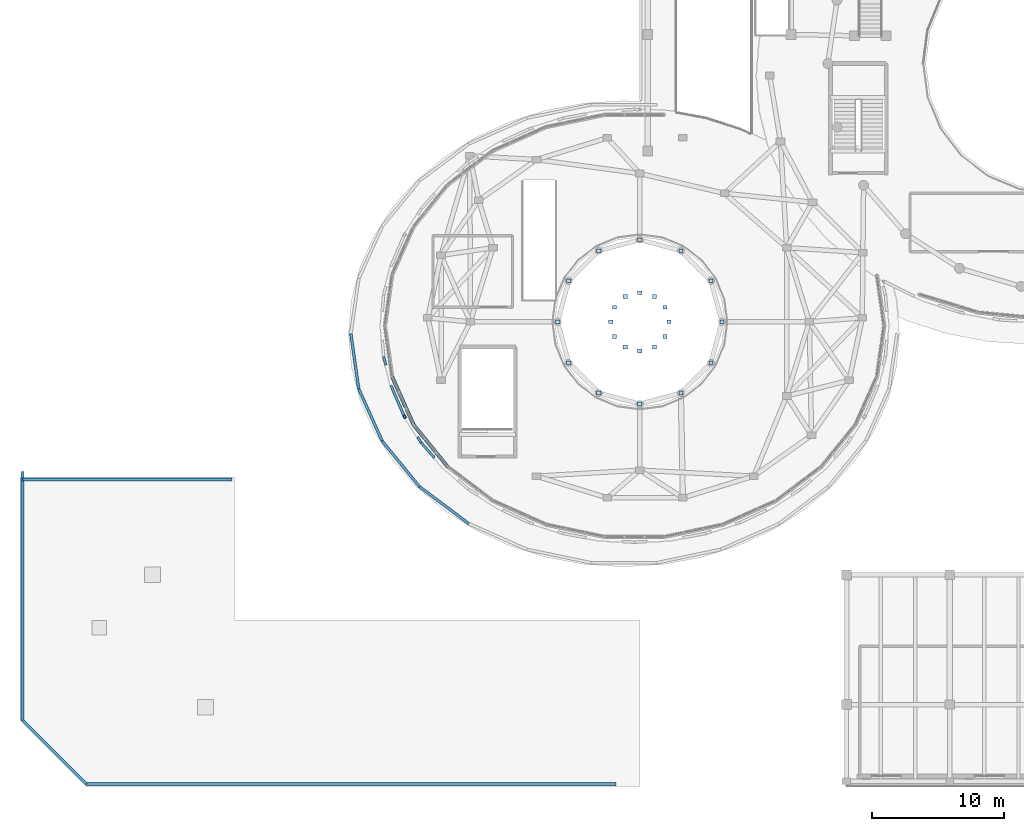
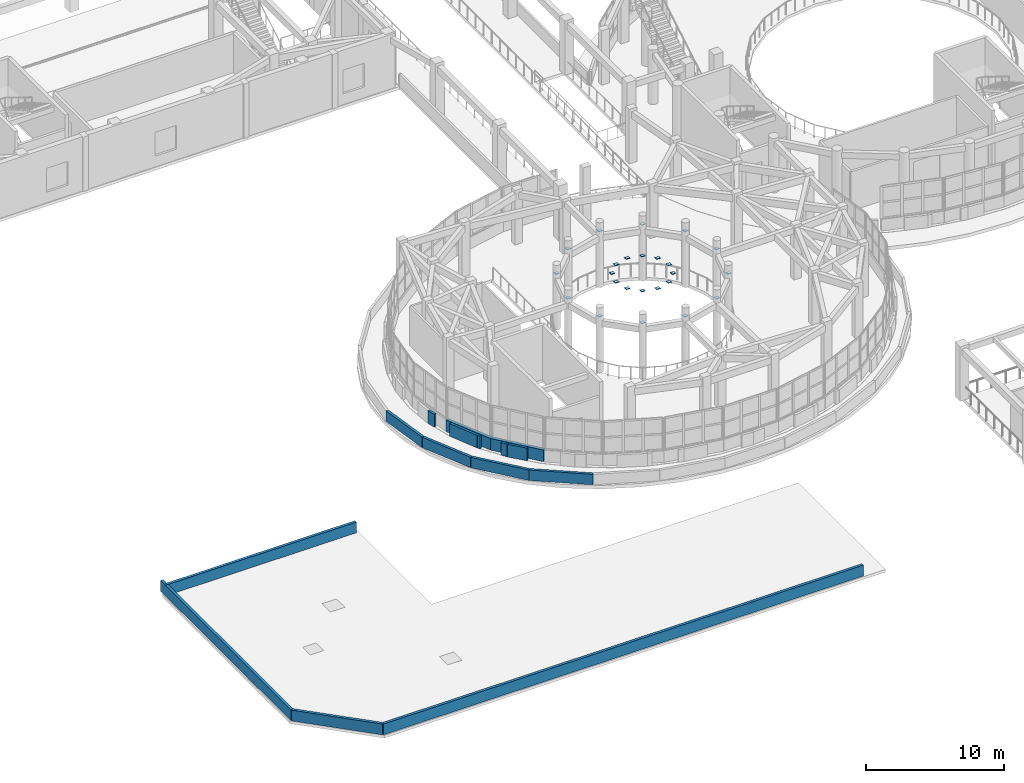
# One storey, part 69 of 98: 24 plates, 15 walls.
"""IFC4 building model written with IfcOpenShell, lengths in metres."""

from ifc_helpers import new_model, si_unit, direction, frame, frame_2d, origin, origin_2d, place, context, subcontext, project, spatial, rectangle, extrude, material, layer, layer_set, type_object, element, save


model = new_model("IFC4")

# Units and contexts
model_context = context("Model", 3, precision=1e-05, world=origin(), true_north=direction((0.0, 1.0)))
body_context = subcontext(model_context, "Body", "Model", "MODEL_VIEW")
ifc_project = project(units=[si_unit("LENGTHUNIT", "METRE"), si_unit("AREAUNIT", "SQUARE_METRE"), si_unit("VOLUMEUNIT", "CUBIC_METRE"), si_unit("PLANEANGLEUNIT", "RADIAN"), si_unit("MASSUNIT", "GRAM", prefix="KILO")], contexts=[model_context])

# Site, building, storey
site_placement = place(None, origin())
site = spatial("IfcSite", under=ifc_project, at=site_placement, CompositionType="ELEMENT")
building_placement = place(site_placement, origin())
building = spatial("IfcBuilding", under=site, at=building_placement, Name="Pelvatis Terrace Science Centre", CompositionType="ELEMENT")
storey_placement = place(building_placement, frame((0.0, 0.0, 5.39990234375)))
storey = spatial("IfcBuildingStorey", under=building, at=storey_placement, Name="L01", CompositionType="ELEMENT", Elevation=5.39990234375)

# Plates
ifc_material_1 = material(Name="Structural steel S355", Category="steel")
ifc_layer_1 = layer(ifc_material_1, 0.01611328125)
ifc_layer_set_1 = layer_set([ifc_layer_1], Name="Structural steel S355")
plate_type = type_object("IfcPlateType", Name="PLT-GUS-320x280x16", PredefinedType="USERDEFINED", material=ifc_layer_set_1)
for number, where, z_axis, x_axis, name in (
    (1, (53.0, 35.10009765625, 4.842041015625), (0.0, 0.0, 1.0), (1.0, 0.0, 0.0), "Brace and strut end connection gusset plate 182"),
    (2, (52.16943359375, 38.199951171875, 4.842041015625), (0.0, 0.0, 1.0), (1.0, 0.0, 0.0), "Brace and strut end connection gusset plate 185"),
    (3, (49.89990234375, 40.469482421875, 4.842041015625), (0.0, 0.0, 1.0), (1.0, 0.0, 0.0), "Brace and strut end connection gusset plate 188"),
    (4, (46.800048828125, 41.300048828125, 4.842041015625), (0.0, 0.0, 1.0), (1.0, 0.0, 0.0), "Brace and strut end connection gusset plate 191"),
    (5, (43.699951171875, 40.469482421875, 4.842041015625), (0.0, 0.0, 1.0), (1.0, 0.0, 0.0), "Brace and strut end connection gusset plate 194"),
    (6, (41.4306640625, 38.199951171875, 4.842041015625), (0.0, 0.0, 1.0), (1.0, 0.0, 0.0), "Brace and strut end connection gusset plate 197"),
    (7, (40.60009765625, 35.10009765625, 4.842041015625), (0.0, 0.0, 1.0), (1.0, 0.0, 0.0), "Brace and strut end connection gusset plate 200"),
    (8, (41.4306640625, 32.0, 4.842041015625), (0.0, 0.0, 1.0), (1.0, 0.0, 0.0), "Brace and strut end connection gusset plate 203"),
    (9, (43.699951171875, 29.730712890625, 4.842041015625), (0.0, 0.0, 1.0), (1.0, 0.0, 0.0), "Brace and strut end connection gusset plate 206"),
    (10, (46.800048828125, 28.89990234375, 4.842041015625), (0.0, 0.0, 1.0), (1.0, 0.0, 0.0), "Brace and strut end connection gusset plate 209"),
    (11, (49.89990234375, 29.730712890625, 4.842041015625), (0.0, 0.0, 1.0), (1.0, 0.0, 0.0), "Brace and strut end connection gusset plate 212"),
    (12, (52.16943359375, 32.0, 4.842041015625), (0.0, 0.0, 1.0), (1.0, 0.0, 0.0), "Brace and strut end connection gusset plate 215"),
    (13, (49.0, 35.10009765625, 4.842041015625), (0.0, 0.0, 1.0), (1.0, 0.0, 0.0), "Brace and strut end connection gusset plate 286"),
    (14, (44.60009765625, 35.10009765625, 4.842041015625), (0.0, 0.0, 1.0), (1.0, 0.0, 0.0), "Brace and strut end connection gusset plate 287"),
    (15, (48.705322265625, 36.199951171875, 4.842041015625), (0.0, 0.0, 1.0), (1.0, 0.0, 0.0), "Brace and strut end connection gusset plate 288"),
    (16, (44.894775390625, 34.0, 4.842041015625), (0.0, 0.0, 1.0), (1.0, 0.0, 0.0), "Brace and strut end connection gusset plate 289"),
    (17, (47.89990234375, 37.00537109375, 4.842041015625), (0.0, 0.0, 1.0), (1.0, 0.0, 0.0), "Brace and strut end connection gusset plate 290"),
    (18, (45.699951171875, 33.194580078125, 4.842041015625), (0.0, 0.0, 1.0), (1.0, 0.0, 0.0), "Brace and strut end connection gusset plate 291"),
    (19, (46.800048828125, 37.300048828125, 4.842041015625), (0.0, 0.0, 1.0), (1.0, 0.0, 0.0), "Brace and strut end connection gusset plate 292"),
    (20, (46.800048828125, 32.89990234375, 4.842041015625), (0.0, 0.0, 1.0), (1.0, 0.0, 0.0), "Brace and strut end connection gusset plate 293"),
    (21, (45.699951171875, 37.00537109375, 4.842041015625), (0.0, 0.0, 1.0), (1.0, 0.0, 0.0), "Brace and strut end connection gusset plate 294"),
    (22, (47.89990234375, 33.194580078125, 4.842041015625), (0.0, 0.0, 1.0), (1.0, 0.0, 0.0), "Brace and strut end connection gusset plate 295"),
    (23, (44.894775390625, 36.199951171875, 4.842041015625), (0.0, 0.0, 1.0), (1.0, 0.0, 0.0), "Brace and strut end connection gusset plate 296"),
    (24, (48.705322265625, 34.0, 4.842041015625), (0.0, 0.0, 1.0), (1.0, 0.0, 0.0), "Brace and strut end connection gusset plate 297"),
):
    element("IfcPlate", number, at=place(storey_placement, frame(where, z_axis=z_axis, x_axis=x_axis)), inside=storey, type_object=plate_type, Name=name, ObjectType="GUSSET", PredefinedType="USERDEFINED", context=body_context, shape_type="SweptSolid", body=[
        extrude(rectangle(XDim=0.320068359375, YDim=0.280029296875, at=origin_2d()), origin(), (0.0, 0.0, 1.0), 0.01611328125),
    ])

# Walls
ifc_material_2 = material(Name="White architectural precast concrete C40/50 spandrel", Category="concrete")
ifc_layer_2 = layer(ifc_material_2, 0.260009765625)
ifc_layer_set_2 = layer_set([ifc_layer_2], Name="White architectural precast concrete C40/50 spandrel")
wall_type_1 = type_object("IfcWallType", Name="WL-EXT-SPND-260", PredefinedType="SOLIDWALL", material=ifc_layer_set_2)
wall_1_placement = place(storey_placement, frame((28.09765625, 30.958984375, 0.0), z_axis=(0.0, 0.0, 1.0), x_axis=(0.406921913595, -0.91346294738, 0.0)))
element("IfcWall", 25, at=wall_1_placement, inside=storey, type_object=wall_type_1, Name="V3 white spiral spandrel band 15 (L01)", PredefinedType="SOLIDWALL", context=body_context, shape_type="SweptSolid", body=[
    extrude(rectangle(XDim=3.96044921875, YDim=0.260009765625, at=frame_2d((1.980224609375, 0.0))), origin(), (0.0, 0.0, 1.0), 1.02001953125),
])
wall_2_placement = place(storey_placement, frame((29.709228515625, 27.34130859375, 0.0), z_axis=(0.0, 0.0, 1.0), x_axis=(0.629715516783, -0.776825828563, 0.0)))
element("IfcWall", 26, at=wall_2_placement, inside=storey, type_object=wall_type_1, Name="V3 white spiral spandrel band 16 (L01)", PredefinedType="SOLIDWALL", context=body_context, shape_type="SweptSolid", body=[
    extrude(rectangle(XDim=4.09912109375, YDim=0.260009765625, at=frame_2d((2.049560546875, 0.0))), origin(), (0.0, 0.0, 1.0), 1.02001953125),
])
ifc_material_3 = material(Name="White architectural precast concrete C40/50 spandrel parapet", Category="concrete")
ifc_layer_3 = layer(ifc_material_3, 0.18994140625)
ifc_layer_set_3 = layer_set([ifc_layer_3], Name="White architectural precast concrete C40/50 spandrel parapet")
wall_type_2 = type_object("IfcWallType", Name="WL-PAR-190", PredefinedType="PARAPET", material=ifc_layer_set_3)
wall_3_placement = place(storey_placement, frame((31.289306640625, 24.83642578125, 0.0), z_axis=(0.0, 0.0, 1.0), x_axis=(-0.659249852707, 0.751923953406, 0.0)))
element("IfcWall", 27, at=wall_3_placement, inside=storey, type_object=wall_type_2, Name="Perimeter edge closure parapet PW-EDG-L01-216", PredefinedType="PARAPET", context=body_context, shape_type="SweptSolid", body=[
    extrude(rectangle(XDim=1.5068359375, YDim=0.18994140625, at=frame_2d((0.75341796875, 0.0))), origin(), (0.0, 0.0, 1.0), 1.1201171875),
])
wall_4_placement = place(storey_placement, frame((30.2958984375, 25.969482421875, 0.0), z_axis=(0.0, 0.0, 1.0), x_axis=(-0.538099841889, 0.842881106776, 0.0)))
element("IfcWall", 28, at=wall_4_placement, inside=storey, type_object=wall_type_2, Name="Perimeter edge closure parapet PW-EDG-L01-217", PredefinedType="PARAPET", context=body_context, shape_type="SweptSolid", body=[
    extrude(rectangle(XDim=0.515869140625, YDim=0.18994140625, at=frame_2d((0.2578125, 0.0))), origin(), (0.0, 0.0, 1.0), 1.1201171875),
])
wall_5_placement = place(storey_placement, frame((29.11181640625, 27.822265625, 0.0), z_axis=(0.0, 0.0, 1.0), x_axis=(-0.538872361831, 0.842387427289, 0.0)))
element("IfcWall", 29, at=wall_5_placement, inside=storey, type_object=wall_type_2, Name="Perimeter edge closure parapet PW-EDG-L01-218", PredefinedType="PARAPET", context=body_context, shape_type="SweptSolid", body=[
    extrude(rectangle(XDim=0.229248046875, YDim=0.18994140625, at=frame_2d((0.11474609375, 0.0))), origin(), (0.0, 0.0, 1.0), 1.1201171875),
])
wall_6_placement = place(storey_placement, frame((28.98828125, 28.015380859375, 0.0), z_axis=(0.0, 0.0, 1.0), x_axis=(-0.394299302617, 0.918982078147, 0.0)))
element("IfcWall", 30, at=wall_6_placement, inside=storey, type_object=wall_type_2, Name="Perimeter edge closure parapet PW-EDG-L01-219", PredefinedType="PARAPET", context=body_context, shape_type="SweptSolid", body=[
    extrude(rectangle(XDim=2.48095703125, YDim=0.18994140625, at=frame_2d((1.240478515625, 0.0))), origin(), (0.0, 0.0, 1.0), 1.1201171875),
])
wall_7_placement = place(storey_placement, frame((27.620849609375, 31.823974609375, 0.0), z_axis=(0.0, 0.0, 1.0), x_axis=(-0.246716452153, 0.969087711323, 0.0)))
element("IfcWall", 31, at=wall_7_placement, inside=storey, type_object=wall_type_2, Name="Perimeter edge closure parapet PW-EDG-L01-220", PredefinedType="PARAPET", context=body_context, shape_type="SweptSolid", body=[
    extrude(rectangle(XDim=0.6728515625, YDim=0.18994140625, at=frame_2d((0.33642578125, 0.0))), origin(), (0.0, 0.0, 1.0), 1.1201171875),
])
ifc_material_4 = material(Name="White architectural precast concrete C40/50 spandrel parapet", Category="concrete")
ifc_layer_4 = layer(ifc_material_4, 0.205078125)
ifc_layer_set_4 = layer_set([ifc_layer_4], Name="White architectural precast concrete C40/50 spandrel parapet")
wall_type_3 = type_object("IfcWallType", Name="WL-PAR-205", PredefinedType="PARAPET", material=ifc_layer_set_4)
wall_8_placement = place(storey_placement, frame((24.97998046875, 34.199951171875, 0.0), z_axis=(0.0, 0.0, 1.0), x_axis=(0.142249064189, -0.989830896536, 0.0)))
element("IfcWall", 32, at=wall_8_placement, inside=storey, type_object=wall_type_3, Name="White spiral ring parapet PW-CRV-L01-123", PredefinedType="PARAPET", context=body_context, shape_type="SweptSolid", body=[
    extrude(rectangle(XDim=4.211669921875, YDim=0.205078125, at=frame_2d((2.10595703125, 0.0))), origin(), (0.0, 0.0, 1.0), 0.920166015625),
])
wall_9_placement = place(storey_placement, frame((25.5791015625, 30.031005859375, 0.0), z_axis=(0.0, 0.0, 1.0), x_axis=(0.409546085012, -0.912289430089, 0.0)))
element("IfcWall", 33, at=wall_9_placement, inside=storey, type_object=wall_type_3, Name="White spiral ring parapet PW-CRV-L01-124", PredefinedType="PARAPET", context=body_context, shape_type="SweptSolid", body=[
    extrude(rectangle(XDim=4.303955078125, YDim=0.205078125, at=frame_2d((2.15185546875, 0.0))), origin(), (0.0, 0.0, 1.0), 0.920166015625),
])
wall_10_placement = place(storey_placement, frame((27.341796875, 26.1044921875, 0.0), z_axis=(0.0, 0.0, 1.0), x_axis=(0.632740194515, -0.774364156095, 0.0)))
element("IfcWall", 34, at=wall_10_placement, inside=storey, type_object=wall_type_3, Name="White spiral ring parapet PW-CRV-L01-125", PredefinedType="PARAPET", context=body_context, shape_type="SweptSolid", body=[
    extrude(rectangle(XDim=4.463134765625, YDim=0.205078125, at=frame_2d((2.2314453125, 0.0))), origin(), (0.0, 0.0, 1.0), 0.920166015625),
])
wall_11_placement = place(storey_placement, frame((30.165771484375, 22.6484375, 0.0), z_axis=(0.0, 0.0, 1.0), x_axis=(0.800579573698, -0.599226456507, 0.0)))
element("IfcWall", 35, at=wall_11_placement, inside=storey, type_object=wall_type_3, Name="White spiral ring parapet PW-CRV-L01-126", PredefinedType="PARAPET", context=body_context, shape_type="SweptSolid", body=[
    extrude(rectangle(XDim=4.6474609375, YDim=0.205078125, at=frame_2d((2.32373046875, 0.0))), origin(), (0.0, 0.0, 1.0), 0.920166015625),
])
ifc_material_5 = material(Name="Precast concrete C35/45 coping parapet", Category="concrete")
ifc_layer_5 = layer(ifc_material_5, 0.219970703125)
ifc_layer_set_5 = layer_set([ifc_layer_5], Name="Precast concrete C35/45 coping parapet")
wall_type_4 = type_object("IfcWallType", Name="WL-PAR-220", PredefinedType="PARAPET", material=ifc_layer_set_5)
wall_12_placement = place(storey_placement, frame((5.0, 0.199951171875, 0.0), z_axis=(0.0, 0.0, 1.0), x_axis=(1.0, 0.0, 0.0)))
element("IfcWall", 36, at=wall_12_placement, inside=storey, type_object=wall_type_4, Name="Classical cornice parapet PW-SW-1", PredefinedType="PARAPET", context=body_context, shape_type="SweptSolid", body=[
    extrude(rectangle(XDim=40.0, YDim=0.219970703125, at=frame_2d((20.0, 0.0))), origin(), (0.0, 0.0, 1.0), 0.9501953125),
])
wall_13_placement = place(storey_placement, frame((0.199951171875, 5.0, 0.0), z_axis=(0.0, 0.0, 1.0), x_axis=(0.707106781187, -0.707106781187, 0.0)))
element("IfcWall", 37, at=wall_13_placement, inside=storey, type_object=wall_type_4, Name="Classical cornice parapet PW-SW-2", PredefinedType="PARAPET", context=body_context, shape_type="SweptSolid", body=[
    extrude(rectangle(XDim=6.788330078125, YDim=0.219970703125, at=frame_2d((3.39404296875, 0.0))), origin(), (0.0, 0.0, 1.0), 0.9501953125),
])
wall_14_placement = place(storey_placement, frame((0.199951171875, 5.0, 0.0), z_axis=(0.0, 0.0, 1.0), x_axis=(0.0, 1.0, 0.0)))
element("IfcWall", 38, at=wall_14_placement, inside=storey, type_object=wall_type_4, Name="Classical cornice parapet PW-SW-3", PredefinedType="PARAPET", context=body_context, shape_type="SweptSolid", body=[
    extrude(rectangle(XDim=18.800048828125, YDim=0.219970703125, at=frame_2d((9.39990234375, 0.0))), origin(), (0.0, 0.0, 1.0), 0.9501953125),
])
wall_15_placement = place(storey_placement, frame((0.199951171875, 23.199951171875, 0.0), z_axis=(0.0, 0.0, 1.0), x_axis=(1.0, 0.0, 0.0)))
element("IfcWall", 39, at=wall_15_placement, inside=storey, type_object=wall_type_4, Name="Classical cornice parapet PW-SW-4", PredefinedType="PARAPET", context=body_context, shape_type="SweptSolid", body=[
    extrude(rectangle(XDim=15.800048828125, YDim=0.219970703125, at=frame_2d((7.89990234375, 0.0))), origin(), (0.0, 0.0, 1.0), 0.9501953125),
])

save(model, "model.ifc")
